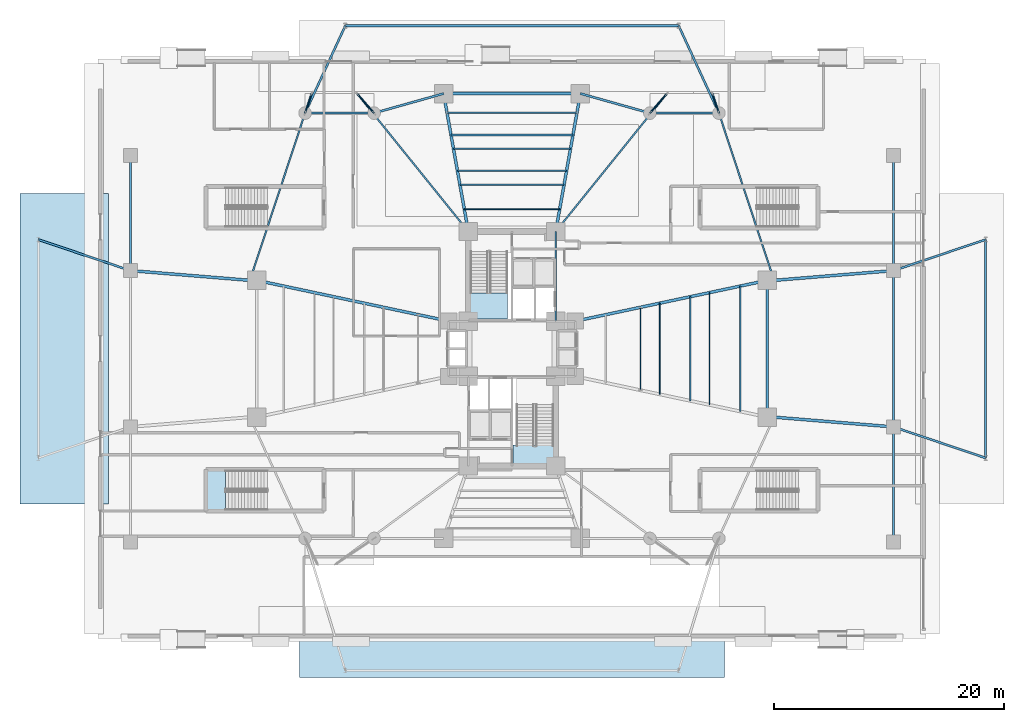
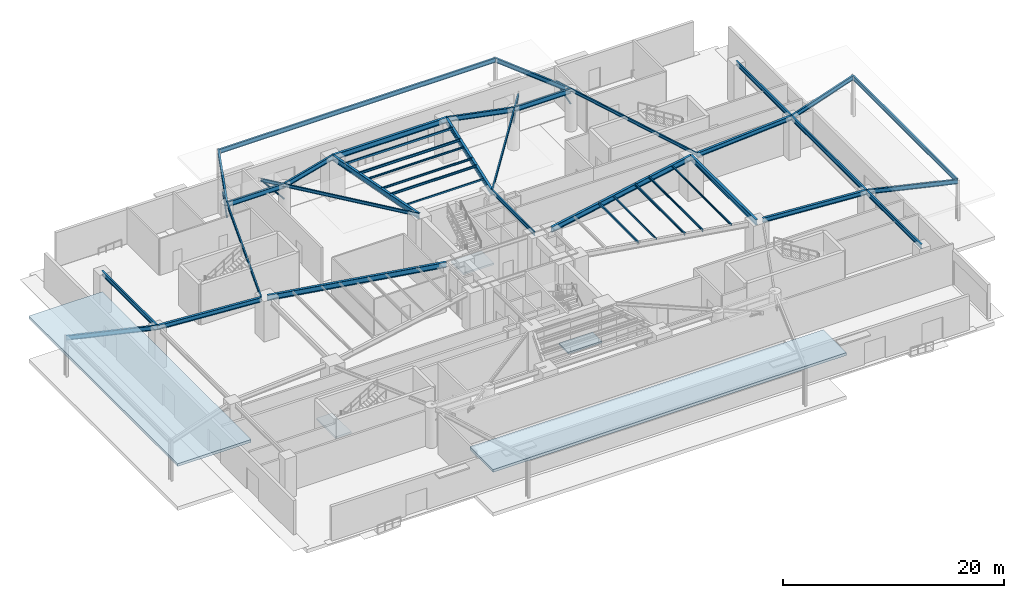
# One storey, part 11 of 31: 40 beams, 5 slabs, 4 members, 2 elements without a shape of their own.
"""IFC4 building model written with IfcOpenShell, lengths in metres."""

import ifcopenshell
import ifcopenshell.guid

model = None  # the IFC model being written
_history = None  # IfcOwnerHistory: only IFC2X3 demands one
_inside = {}  # id of a spatial element -> (the spatial element, [elements in it])
_under = {}  # id of a project, library or spatial element -> (it, [spatial elements below it])
_declared = {}  # id of a project -> (the project, [libraries it declares])
_typed = {}  # id of a type object -> (the type object, [elements of that type])
_made_of = {}  # id of a material, layer set ... -> (it, [elements and type objects made of it])


def new_model(schema):
    """Start an empty IFC model of exactly this schema.

    Asked for "IFC4X3", IfcOpenShell would pick the latest addendum, in which some entities
    have other attributes; the version numbers below select the first issue.
    IFC2X3 requires an IfcOwnerHistory on every rooted entity: one is made here for all.
    """
    global model, _history
    if schema == "IFC4X3":
        model = ifcopenshell.file(schema_version=(4, 3, 0, 0))
    else:
        model = ifcopenshell.file(schema=schema)
    _inside.clear()
    _under.clear()
    _declared.clear()
    _typed.clear()
    _made_of.clear()
    _history = None
    if model.schema == "IFC2X3":
        org = make("IfcOrganization", Name="unknown")
        user = make(
            "IfcPersonAndOrganization",
            ThePerson=make("IfcPerson", FamilyName="unknown"),
            TheOrganization=org,
        )
        app = make(
            "IfcApplication",
            ApplicationDeveloper=org,
            Version="unknown",
            ApplicationFullName="unknown",
            ApplicationIdentifier="unknown",
        )
        _history = make(
            "IfcOwnerHistory",
            OwningUser=user,
            OwningApplication=app,
            ChangeAction="ADDED",
            CreationDate=0,
        )
    return model


def make(cls, **values):
    """One entity of the class cls with the attributes given. An attribute that is None is left unset."""
    return model.create_entity(
        cls, **{name: value for name, value in values.items() if value is not None}
    )


def rooted(cls, **values):
    """An entity with a GlobalId (a new one), such as an element, a storey or a relation."""
    return make(cls, GlobalId=ifcopenshell.guid.new(), OwnerHistory=_history, **values)


def si_unit(unit_type, name, prefix=None):
    """IfcSIUnit, for example si_unit("LENGTHUNIT", "METRE", prefix="MILLI")."""
    return make("IfcSIUnit", UnitType=unit_type, Prefix=prefix, Name=name)


def assignment(units):
    """IfcUnitAssignment: the units of a project."""
    return None if units is None else make("IfcUnitAssignment", Units=units)


def point(xyz):
    """IfcCartesianPoint."""
    return None if xyz is None else make("IfcCartesianPoint", Coordinates=xyz)


def direction(xyz):
    """IfcDirection."""
    return None if xyz is None else make("IfcDirection", DirectionRatios=xyz)


def frame(location, z_axis=None, x_axis=None):
    """IfcAxis2Placement3D, a coordinate frame: its origin and axes. An axis left out is left unset."""
    return make(
        "IfcAxis2Placement3D",
        Location=point(location),
        Axis=direction(z_axis),
        RefDirection=direction(x_axis),
    )


def frame_2d(location, x_axis=None):
    """IfcAxis2Placement2D, a coordinate frame in the plane: its origin and x axis."""
    return make(
        "IfcAxis2Placement2D", Location=point(location), RefDirection=direction(x_axis)
    )


def origin():
    """The frame at (0, 0, 0) with its axes left unset."""
    return frame((0.0, 0.0, 0.0))


def origin_2d():
    """The frame at (0, 0) in the plane with its x axis left unset."""
    return frame_2d((0.0, 0.0))


def place(relative_to, where):
    """IfcLocalPlacement: puts the frame where relative to a parent placement (None: the world)."""
    return make(
        "IfcLocalPlacement", PlacementRelTo=relative_to, RelativePlacement=where
    )


def context(
    kind, dimensions, precision=None, world=None, true_north=None, identifier=None
):
    """IfcGeometricRepresentationContext, for example the 3D "Model" context."""
    return make(
        "IfcGeometricRepresentationContext",
        ContextIdentifier=identifier,
        ContextType=kind,
        CoordinateSpaceDimension=dimensions,
        Precision=precision,
        WorldCoordinateSystem=world,
        TrueNorth=true_north,
    )


def subcontext(parent, identifier, kind, view, scale=None):
    """IfcGeometricRepresentationSubContext, for example "Body" below "Model"."""
    return make(
        "IfcGeometricRepresentationSubContext",
        ContextIdentifier=identifier,
        ContextType=kind,
        ParentContext=parent,
        TargetScale=scale,
        TargetView=view,
    )


def project(units=None, contexts=None):
    """IfcProject with its units and contexts."""
    return rooted(
        "IfcProject",
        Name="project",
        RepresentationContexts=contexts,
        UnitsInContext=assignment(units),
    )


def spatial(cls, under=None, at=None, **own):
    """A site, building, storey or space (cls), placed at a placement, below another one or the project."""
    s = rooted(cls, ObjectPlacement=at, **own)
    if under is not None:
        _under.setdefault(under.id(), (under, []))[1].append(s)
    return s


def polyline(points):
    """IfcPolyline through the points."""
    return make("IfcPolyline", Points=[point(p) for p in points])


def profile(cls, at=None, kind="AREA", **sizes):
    """A parametric profile (cls). Its sizes go by their IFC names, for example OverallWidth=200.0."""
    return make(cls, ProfileType=kind, Position=at, **sizes)


def hollow_rectangle(**sizes):
    """IfcRectangleHollowProfileDef."""
    return profile("IfcRectangleHollowProfileDef", **sizes)


def hollow_circle(**sizes):
    """IfcCircleHollowProfileDef."""
    return profile("IfcCircleHollowProfileDef", **sizes)


def i_section(**sizes):
    """IfcIShapeProfileDef."""
    return profile("IfcIShapeProfileDef", **sizes)


def outline(outer, holes=None, kind="AREA"):
    """IfcArbitraryClosedProfileDef: a profile drawn as a closed curve; with holes, ...WithVoids."""
    if holes is None:
        return make("IfcArbitraryClosedProfileDef", ProfileType=kind, OuterCurve=outer)
    return make(
        "IfcArbitraryProfileDefWithVoids",
        ProfileType=kind,
        OuterCurve=outer,
        InnerCurves=holes,
    )


def extrude(swept, where, along, depth):
    """IfcExtrudedAreaSolid: the profile swept, set in the frame where, extruded along a direction by depth."""
    return make(
        "IfcExtrudedAreaSolid",
        SweptArea=swept,
        Position=where,
        ExtrudedDirection=direction(along),
        Depth=depth,
    )


def shape(context_of_items, identifier, shape_type, items):
    """IfcShapeRepresentation: the items that make up one representation, for example the "Body"."""
    return make(
        "IfcShapeRepresentation",
        ContextOfItems=context_of_items,
        RepresentationIdentifier=identifier,
        RepresentationType=shape_type,
        Items=items,
    )


def source(mapping_origin, context_of_items, identifier, shape_type, items):
    """IfcRepresentationMap: a shape defined once, which mapped items show again and again."""
    return make(
        "IfcRepresentationMap",
        MappingOrigin=mapping_origin,
        MappedRepresentation=shape(context_of_items, identifier, shape_type, items),
    )


def transform(
    local_origin,
    x_axis=None,
    y_axis=None,
    z_axis=None,
    scale=None,
    scale2=None,
    scale3=None,
    uniform=True,
):
    """IfcCartesianTransformationOperator3D, or its non-uniform kind. x_axis, y_axis, z_axis: its Axis1, 2, 3."""
    if uniform:
        return make(
            "IfcCartesianTransformationOperator3D",
            Axis1=direction(x_axis),
            Axis2=direction(y_axis),
            LocalOrigin=point(local_origin),
            Scale=scale,
            Axis3=direction(z_axis),
        )
    return make(
        "IfcCartesianTransformationOperator3DnonUniform",
        Axis1=direction(x_axis),
        Axis2=direction(y_axis),
        LocalOrigin=point(local_origin),
        Scale=scale,
        Axis3=direction(z_axis),
        Scale2=scale2,
        Scale3=scale3,
    )


def mapped(mapping_source, mapping_target):
    """IfcMappedItem: shows the shape of a source again, moved by a transform."""
    return make(
        "IfcMappedItem", MappingSource=mapping_source, MappingTarget=mapping_target
    )


def material(Name=None, Category=None):
    """IfcMaterial."""
    return make("IfcMaterial", Name=Name, Category=Category)


def layer(
    of_material, thickness, ventilated=None, Name=None, Category=None, Priority=None
):
    """IfcMaterialLayer: one layer of a wall or slab, of a material (None: an air gap)."""
    return make(
        "IfcMaterialLayer",
        Material=of_material,
        LayerThickness=thickness,
        IsVentilated=ventilated,
        Name=Name,
        Category=Category,
        Priority=Priority,
    )


def layer_set(layers, Name=None):
    """IfcMaterialLayerSet."""
    return make("IfcMaterialLayerSet", MaterialLayers=layers, LayerSetName=Name)


def material_profile(
    of_material, cross_section, Name=None, Category=None, Priority=None
):
    """IfcMaterialProfile: a cross section and its material."""
    return make(
        "IfcMaterialProfile",
        Name=Name,
        Material=of_material,
        Profile=cross_section,
        Priority=Priority,
        Category=Category,
    )


def profile_set(profiles, Name=None, composite=None):
    """IfcMaterialProfileSet."""
    return make(
        "IfcMaterialProfileSet",
        Name=Name,
        MaterialProfiles=profiles,
        CompositeProfile=composite,
    )


def made_of(thing, what):
    """Note that an element or type object is made of a material, layer set ...; save() writes the relation."""
    if what is not None:
        _made_of.setdefault(what.id(), (what, []))[1].append(thing)
    return thing


def type_object(cls, material=None, **own):
    """A type object (cls), such as IfcWallType, which elements share."""
    return made_of(rooted(cls, **own), material)


def element(
    cls,
    number,
    at=None,
    inside=None,
    cuts=None,
    type_object=None,
    material=None,
    context=None,
    identifier="Body",
    shape_type=None,
    held_by="IfcProductDefinitionShape",
    body=None,
    shapes=None,
    **own,
):
    """One element of the class cls, such as IfcWall. Its Tag is "e" and its number.

    at: its placement. inside: the storey or other place that contains it. cuts: it is an
    opening in that element (IfcRelVoidsElement). A single representation is given by context,
    identifier, shape_type and body (its items); several are given by shapes. held_by: the class
    of the entity that holds the representations. save() writes the other relations.
    """
    e = rooted(cls, Tag="e%d" % number, ObjectPlacement=at, **own)
    if body is not None:
        shapes = [shape(context, identifier, shape_type, body)]
    if shapes is not None:
        e.Representation = make(held_by, Representations=shapes)
    if inside is not None:
        _inside.setdefault(inside.id(), (inside, []))[1].append(e)
    if cuts is not None:
        rooted(
            "IfcRelVoidsElement", RelatingBuildingElement=cuts, RelatedOpeningElement=e
        )
    if type_object is not None:
        _typed.setdefault(type_object.id(), (type_object, []))[1].append(e)
    return made_of(e, material)


def aggregate(whole, parts):
    """IfcRelAggregates: a whole, such as a stair, and the parts it consists of."""
    return rooted("IfcRelAggregates", RelatingObject=whole, RelatedObjects=parts)


def save(model, path):
    """Write the relations noted so far, then the file.

    IfcRelAggregates (storeys below a building ...), IfcRelContainedInSpatialStructure (elements
    in a storey), IfcRelDefinesByType, IfcRelAssociatesMaterial and IfcRelDeclares: one each for
    every whole, place, type object, material and project.
    """
    for whole, parts in _under.values():
        aggregate(whole, parts)
    for where, things in _inside.values():
        rooted(
            "IfcRelContainedInSpatialStructure",
            RelatedElements=things,
            RelatingStructure=where,
        )
    for kind, things in _typed.values():
        rooted("IfcRelDefinesByType", RelatedObjects=things, RelatingType=kind)
    for what, things in _made_of.values():
        rooted("IfcRelAssociatesMaterial", RelatedObjects=things, RelatingMaterial=what)
    for by, libraries in _declared.values():
        rooted("IfcRelDeclares", RelatingContext=by, RelatedDefinitions=libraries)
    model.write(path)


model = new_model("IFC4")

# Units and contexts
model_context = context("Model", 3, precision=1e-05, world=origin(), true_north=direction((0.0, 1.0)))
body_context = subcontext(model_context, "Body", "Model", "MODEL_VIEW")
ifc_project = project(units=[si_unit("LENGTHUNIT", "METRE"), si_unit("AREAUNIT", "SQUARE_METRE"), si_unit("VOLUMEUNIT", "CUBIC_METRE"), si_unit("PLANEANGLEUNIT", "RADIAN"), si_unit("MASSUNIT", "GRAM", prefix="KILO")], contexts=[model_context])

# Site, building, storey
site_placement = place(None, origin())
site = spatial("IfcSite", under=ifc_project, at=site_placement, CompositionType="ELEMENT")
building_placement = place(site_placement, origin())
building = spatial("IfcBuilding", under=site, at=building_placement, Name="Sahyath Konkavel Grand Hotel", CompositionType="ELEMENT")
storey_placement = place(building_placement, origin())
storey = spatial("IfcBuildingStorey", under=building, at=storey_placement, Name="L00", CompositionType="ELEMENT", Elevation=0.0)

# Beams
ifc_material_1 = material(Name="Steel E350", Category="steel")
ifc_material_profile_1 = material_profile(ifc_material_1, i_section(OverallWidth=0.179931640625, OverallDepth=0.5, WebThickness=0.01025390625, FlangeThickness=0.01708984375, FilletRadius=0.01708984375, at=origin_2d()), Name="ISMB 500")
ifc_profile_set_1 = profile_set([ifc_material_profile_1], Name="Steel E350")
beam_type_1 = type_object("IfcBeamType", Name="BM-ISMB500", PredefinedType="BEAM", material=ifc_profile_set_1)
shared_shape_1 = source(origin(), body_context, "Body", "SweptSolid", [
    extrude(i_section(OverallWidth=0.179931640625, OverallDepth=0.5, WebThickness=0.01025390625, FlangeThickness=0.01708984375, FilletRadius=0.01708984375, at=origin_2d()), origin(), (0.0, 0.0, 1.0), 19.0),
])
beam_1_placement = place(storey_placement, frame((41.199951171875, -9.5, 4.22998046875), z_axis=(0.0, 1.0, 0.0), x_axis=(-1.0, 0.0, 0.0)))
element("IfcBeam", 1, at=beam_1_placement, inside=storey, type_object=beam_type_1, Name="L00 Metro Portal Wing Girder 01", PredefinedType="BEAM", context=body_context, shape_type="MappedRepresentation", body=[
    mapped(shared_shape_1, transform((0.0, 0.0, 0.0), scale=1.0)),
])
shared_shape_2 = source(origin(), body_context, "Body", "SweptSolid", [
    extrude(i_section(OverallWidth=0.179931640625, OverallDepth=0.5, WebThickness=0.01025390625, FlangeThickness=0.01708984375, FilletRadius=0.01708984375, at=origin_2d()), origin(), (0.0, 0.0, 1.0), 8.443359375),
])
for number, where, z_axis, x_axis, name in (
    (2, (41.199951171875, -9.5, 4.22998046875), (-0.947494031165, 0.319773452474, 0.0), (-0.319773452474, -0.947494031165, 0.0), "L00 Metro Portal Wing Girder 02"),
    (3, (41.199951171875, 9.5, 4.22998046875), (-0.947494031165, -0.319773452474, 0.0), (0.319773452474, -0.947494031165, 0.0), "L00 Metro Portal Wing Girder 03"),
    (4, (-41.199951171875, 9.5, 4.22998046875), (0.947494031165, -0.319773452474, 0.0), (0.319773452474, 0.947494031165, 0.0), "L00 Metro Portal Wing Girder 06"),
):
    element("IfcBeam", number, at=place(storey_placement, frame(where, z_axis=z_axis, x_axis=x_axis)), inside=storey, type_object=beam_type_1, Name=name, PredefinedType="BEAM", context=body_context, shape_type="MappedRepresentation", body=[
        mapped(shared_shape_2, transform((0.0, 0.0, 0.0), scale=1.0)),
    ])
shared_shape_3 = source(origin(), body_context, "Body", "SweptSolid", [
    extrude(i_section(OverallWidth=0.179931640625, OverallDepth=0.5, WebThickness=0.01025390625, FlangeThickness=0.01708984375, FilletRadius=0.01708984375, at=origin_2d()), origin(), (0.0, 0.0, 1.0), 29.0),
])
beam_2_placement = place(storey_placement, frame((-14.5, 28.10009765625, 4.22998046875), z_axis=(1.0, 0.0, 0.0), x_axis=(0.0, 1.0, 0.0)))
element("IfcBeam", 5, at=beam_2_placement, inside=storey, type_object=beam_type_1, Name="L00 Metro Portal Wing Girder 07", PredefinedType="BEAM", context=body_context, shape_type="MappedRepresentation", body=[
    mapped(shared_shape_3, transform((0.0, 0.0, 0.0), scale=1.0)),
])
shared_shape_4 = source(origin(), body_context, "Body", "SweptSolid", [
    extrude(i_section(OverallWidth=0.179931640625, OverallDepth=0.5, WebThickness=0.01025390625, FlangeThickness=0.01708984375, FilletRadius=0.01708984375, at=origin_2d()), origin(), (0.0, 0.0, 1.0), 8.3671875),
])
for number, where, z_axis, x_axis, name in (
    (6, (-14.5, 28.10009765625, 4.22998046875), (-0.418295701327, -0.908310908363, 0.0), (0.908310908363, -0.418295701327, 0.0), "L00 Metro Portal Wing Girder 08"),
    (7, (14.5, 28.10009765625, 4.22998046875), (0.418295701327, -0.908310908363, 0.0), (0.908310908363, 0.418295701327, 0.0), "L00 Metro Portal Wing Girder 09"),
):
    element("IfcBeam", number, at=place(storey_placement, frame(where, z_axis=z_axis, x_axis=x_axis)), inside=storey, type_object=beam_type_1, Name=name, PredefinedType="BEAM", context=body_context, shape_type="MappedRepresentation", body=[
        mapped(shared_shape_4, transform((0.0, 0.0, 0.0), scale=1.0)),
    ])
ifc_material_profile_2 = material_profile(ifc_material_1, i_section(OverallWidth=0.139892578125, OverallDepth=0.39990234375, WebThickness=0.0087890625, FlangeThickness=0.01611328125, FilletRadius=0.013916015625, at=origin_2d()), Name="ISMB 400")
ifc_profile_set_2 = profile_set([ifc_material_profile_2], Name="Steel E350")
beam_type_2 = type_object("IfcBeamType", Name="BM-ISMB400", PredefinedType="BEAM", material=ifc_profile_set_2)
shared_shape_5 = source(origin(), body_context, "Body", "SweptSolid", [
    extrude(i_section(OverallWidth=0.139892578125, OverallDepth=0.39990234375, WebThickness=0.0087890625, FlangeThickness=0.01611328125, FilletRadius=0.013916015625, at=origin_2d()), origin(), (0.0, 0.0, 1.0), 7.800048828125),
])
beam_3_placement = place(storey_placement, frame((3.800048828125, 2.39990234375, 4.280029296875), z_axis=(0.0, 1.0, 0.0), x_axis=(-1.0, 0.0, 0.0)))
element("IfcBeam", 8, at=beam_3_placement, inside=storey, type_object=beam_type_2, Name="str:bm:L00:NC-E", PredefinedType="BEAM", context=body_context, shape_type="MappedRepresentation", body=[
    mapped(shared_shape_5, transform((0.0, 0.0, 0.0), scale=1.0)),
])
ifc_material_profile_3 = material_profile(ifc_material_1, i_section(OverallWidth=0.18994140625, OverallDepth=0.550048828125, WebThickness=0.01123046875, FlangeThickness=0.019287109375, FilletRadius=0.01806640625, at=origin_2d()), Name="ISMB 550")
ifc_profile_set_3 = profile_set([ifc_material_profile_3], Name="Steel E350")
beam_type_3 = type_object("IfcBeamType", Name="BM-ISMB550", PredefinedType="BEAM", material=ifc_profile_set_3)
shared_shape_6 = source(origin(), body_context, "Body", "SweptSolid", [
    extrude(i_section(OverallWidth=0.18994140625, OverallDepth=0.550048828125, WebThickness=0.01123046875, FlangeThickness=0.019287109375, FilletRadius=0.01806640625, at=origin_2d()), origin(), (0.0, 0.0, 1.0), 6.0),
])
for number, where, z_axis, x_axis, name in (
    (9, (-18.0, 20.5, 4.205078125), (1.0, 0.0, 0.0), (0.0, 1.0, 0.0), "str:bm:L00:POD-01"),
    (10, (12.0, 20.5, 4.205078125), (1.0, 0.0, 0.0), (0.0, 1.0, 0.0), "str:bm:L00:POD-04"),
):
    element("IfcBeam", number, at=place(storey_placement, frame(where, z_axis=z_axis, x_axis=x_axis)), inside=storey, type_object=beam_type_3, Name=name, PredefinedType="BEAM", context=body_context, shape_type="MappedRepresentation", body=[
        mapped(shared_shape_6, transform((0.0, 0.0, 0.0), scale=1.0)),
    ])
shared_shape_7 = source(origin(), body_context, "Body", "SweptSolid", [
    extrude(i_section(OverallWidth=0.18994140625, OverallDepth=0.550048828125, WebThickness=0.01123046875, FlangeThickness=0.019287109375, FilletRadius=0.01806640625, at=origin_2d()), origin(), (0.0, 0.0, 1.0), 6.284423828125),
])
for number, where, z_axis, x_axis, name in (
    (11, (-12.0, 20.5, 4.205078125), (0.962718307277, 0.270505934933, 0.0), (-0.270505934933, 0.962718307277, 0.0), "str:bm:L00:POD-02"),
    (12, (5.949951171875, 22.199951171875, 4.205078125), (0.962718307277, -0.270505934933, 0.0), (0.270505934933, 0.962718307277, 0.0), "str:bm:L00:POD-03"),
):
    element("IfcBeam", number, at=place(storey_placement, frame(where, z_axis=z_axis, x_axis=x_axis)), inside=storey, type_object=beam_type_3, Name=name, PredefinedType="BEAM", context=body_context, shape_type="MappedRepresentation", body=[
        mapped(shared_shape_7, transform((0.0, 0.0, 0.0), scale=1.0)),
    ])
shared_shape_8 = source(origin(), body_context, "Body", "SweptSolid", [
    extrude(i_section(OverallWidth=0.179931640625, OverallDepth=0.5, WebThickness=0.01025390625, FlangeThickness=0.01708984375, FilletRadius=0.01708984375, at=origin_2d()), origin(), (0.0, 0.0, 1.0), 10.0),
])
for number, where, z_axis, x_axis, name in (
    (13, (33.199951171875, -16.800048828125, 4.22998046875), (0.0, 1.0, 0.0), (-1.0, 0.0, 0.0), "str:bm:L00:POD-09"),
    (14, (33.199951171875, 6.800048828125, 4.22998046875), (0.0, 1.0, 0.0), (-1.0, 0.0, 0.0), "str:bm:L00:POD-13"),
    (15, (-33.199951171875, 6.800048828125, 4.22998046875), (0.0, 1.0, 0.0), (-1.0, 0.0, 0.0), "str:bm:L00:POD-18"),
):
    element("IfcBeam", number, at=place(storey_placement, frame(where, z_axis=z_axis, x_axis=x_axis)), inside=storey, type_object=beam_type_1, Name=name, PredefinedType="BEAM", context=body_context, shape_type="MappedRepresentation", body=[
        mapped(shared_shape_8, transform((0.0, 0.0, 0.0), scale=1.0)),
    ])
ifc_material_profile_4 = material_profile(ifc_material_1, i_section(OverallWidth=0.25, OverallDepth=0.5, WebThickness=0.010009765625, FlangeThickness=0.0146484375, FilletRadius=0.014892578125, at=origin_2d()), Name="ISWB 500")
ifc_profile_set_4 = profile_set([ifc_material_profile_4], Name="Steel E350")
beam_type_4 = type_object("IfcBeamType", Name="BM-ISWB500", PredefinedType="BEAM", material=ifc_profile_set_4)
shared_shape_9 = source(origin(), body_context, "Body", "SweptSolid", [
    extrude(i_section(OverallWidth=0.25, OverallDepth=0.5, WebThickness=0.010009765625, FlangeThickness=0.0146484375, FilletRadius=0.014892578125, at=origin_2d()), origin(), (0.0, 0.0, 1.0), 10.4345703125),
])
for number, where, z_axis, x_axis, name in (
    (16, (33.199951171875, -6.800048828125, 4.22998046875), (-0.996675859081, 0.081469208445, 0.0), (-0.081469208445, -0.996675859081, 0.0), "str:bm:L00:POD-10"),
    (17, (33.199951171875, 6.800048828125, 4.22998046875), (-0.996675859081, -0.081469208445, 0.0), (0.081469208445, -0.996675859081, 0.0), "str:bm:L00:POD-12"),
    (18, (-33.199951171875, 6.800048828125, 4.22998046875), (0.996675859081, -0.081469208445, 0.0), (0.081469208445, 0.996675859081, 0.0), "str:bm:L00:POD-17"),
):
    element("IfcBeam", number, at=place(storey_placement, frame(where, z_axis=z_axis, x_axis=x_axis)), inside=storey, type_object=beam_type_4, Name=name, PredefinedType="BEAM", context=body_context, shape_type="MappedRepresentation", body=[
        mapped(shared_shape_9, transform((0.0, 0.0, 0.0), scale=1.0)),
    ])
shared_shape_10 = source(origin(), body_context, "Body", "SweptSolid", [
    extrude(i_section(OverallWidth=0.179931640625, OverallDepth=0.5, WebThickness=0.01025390625, FlangeThickness=0.01708984375, FilletRadius=0.01708984375, at=origin_2d()), origin(), (0.0, 0.0, 1.0), 13.60009765625),
])
beam_4_placement = place(storey_placement, frame((33.199951171875, -6.800048828125, 4.22998046875), z_axis=(0.0, 1.0, 0.0), x_axis=(-1.0, 0.0, 0.0)))
element("IfcBeam", 19, at=beam_4_placement, inside=storey, type_object=beam_type_1, Name="str:bm:L00:POD-11", PredefinedType="BEAM", context=body_context, shape_type="MappedRepresentation", body=[
    mapped(shared_shape_10, transform((0.0, 0.0, 0.0), scale=1.0)),
])
ifc_material_profile_5 = material_profile(ifc_material_1, i_section(OverallWidth=0.25, OverallDepth=0.60009765625, WebThickness=0.01171875, FlangeThickness=0.023681640625, FilletRadius=0.01708984375, at=origin_2d()), Name="ISWB 600")
ifc_profile_set_5 = profile_set([ifc_material_profile_5], Name="Steel E350")
beam_type_5 = type_object("IfcBeamType", Name="BM-ISWB600", PredefinedType="BEAM", material=ifc_profile_set_5)
shared_shape_11 = source(origin(), body_context, "Body", "SweptSolid", [
    extrude(i_section(OverallWidth=0.25, OverallDepth=0.60009765625, WebThickness=0.01171875, FlangeThickness=0.023681640625, FilletRadius=0.01708984375, at=origin_2d()), origin(), (0.0, 0.0, 1.0), 17.072998046875),
])
for number, where, z_axis, x_axis, name in (
    (20, (5.5, 2.39990234375, 4.179931640625), (0.978143257225, 0.20793212437, 0.0), (-0.20793212437, 0.978143257225, 0.0), "L00 Podium Primary Girder EB"),
    (21, (-5.5, 2.39990234375, 4.179931640625), (-0.978143257225, 0.20793212437, 0.0), (-0.20793212437, -0.978143257225, 0.0), "L00 Podium Primary Girder WA"),
):
    element("IfcBeam", number, at=place(storey_placement, frame(where, z_axis=z_axis, x_axis=x_axis)), inside=storey, type_object=beam_type_5, Name=name, PredefinedType="BEAM", context=body_context, shape_type="MappedRepresentation", body=[
        mapped(shared_shape_11, transform((0.0, 0.0, 0.0), scale=1.0)),
    ])
shared_shape_12 = source(origin(), body_context, "Body", "SweptSolid", [
    extrude(i_section(OverallWidth=0.25, OverallDepth=0.60009765625, WebThickness=0.01171875, FlangeThickness=0.023681640625, FilletRadius=0.01708984375, at=origin_2d()), origin(), (0.0, 0.0, 1.0), 12.191162109375),
])
for number, where, z_axis, x_axis, name in (
    (22, (3.800048828125, 10.199951171875, 4.179931640625), (0.176350650305, 0.984327409014, 0.0), (-0.984327409014, 0.176350650305, 0.0), "L00 Podium Primary Girder NA"),
    (23, (-3.800048828125, 10.199951171875, 4.179931640625), (-0.176350650305, 0.984327409014, 0.0), (-0.984327409014, -0.176350650305, 0.0), "L00 Podium Primary Girder NB"),
):
    element("IfcBeam", number, at=place(storey_placement, frame(where, z_axis=z_axis, x_axis=x_axis)), inside=storey, type_object=beam_type_5, Name=name, PredefinedType="BEAM", context=body_context, shape_type="MappedRepresentation", body=[
        mapped(shared_shape_12, transform((0.0, 0.0, 0.0), scale=1.0)),
    ])
shared_shape_13 = source(origin(), body_context, "Body", "SweptSolid", [
    extrude(i_section(OverallWidth=0.25, OverallDepth=0.60009765625, WebThickness=0.01171875, FlangeThickness=0.023681640625, FilletRadius=0.01708984375, at=origin_2d()), origin(), (0.0, 0.0, 1.0), 11.89990234375),
])
for number, where, z_axis, x_axis, name in (
    (24, (22.199951171875, -5.949951171875, 4.179931640625), (0.0, 1.0, 0.0), (-1.0, 0.0, 0.0), "L00 Podium Primary Girder Tie E"),
    (25, (5.949951171875, 22.199951171875, 4.179931640625), (-1.0, 0.0, 0.0), (0.0, -1.0, 0.0), "L00 Podium Primary Girder Tie N"),
):
    element("IfcBeam", number, at=place(storey_placement, frame(where, z_axis=z_axis, x_axis=x_axis)), inside=storey, type_object=beam_type_5, Name=name, PredefinedType="BEAM", context=body_context, shape_type="MappedRepresentation", body=[
        mapped(shared_shape_13, transform((0.0, 0.0, 0.0), scale=1.0)),
    ])
ifc_material_profile_6 = material_profile(ifc_material_1, hollow_rectangle(XDim=0.1201171875, YDim=0.219970703125, WallThickness=0.010009765625, at=origin_2d()), Name="RHS 220x120x10")
ifc_profile_set_6 = profile_set([ifc_material_profile_6], Name="Steel E350")
beam_type_6 = type_object("IfcBeamType", Name="BM-RHS220", PredefinedType="BEAM", material=ifc_profile_set_6)
shared_shape_14 = source(origin(), body_context, "Body", "SweptSolid", [
    extrude(hollow_rectangle(XDim=0.1201171875, YDim=0.219970703125, WallThickness=0.010009765625, at=origin_2d()), origin(), (0.0, 0.0, 1.0), 7.2138671875),
])
beam_5_placement = place(storey_placement, frame((11.177978515625, -3.60693359375, 4.3701171875), z_axis=(0.0, 1.0, 0.0), x_axis=(-1.0, 0.0, 0.0)))
element("IfcBeam", 26, at=beam_5_placement, inside=storey, type_object=beam_type_6, Name="L00 Composite Deck Sub-Beam E-2", PredefinedType="BEAM", context=body_context, shape_type="MappedRepresentation", body=[
    mapped(shared_shape_14, transform((0.0, 0.0, 0.0), scale=1.0)),
])
ifc_material_profile_7 = material_profile(ifc_material_1, hollow_rectangle(XDim=0.090087890625, YDim=0.179931640625, WallThickness=0.008056640625, at=origin_2d()), Name="RHS 180x90x8")
ifc_profile_set_7 = profile_set([ifc_material_profile_7], Name="Steel E350")
beam_type_7 = type_object("IfcBeamType", Name="BM-RHS180", PredefinedType="BEAM", material=ifc_profile_set_7)
shared_shape_15 = source(origin(), body_context, "Body", "SweptSolid", [
    extrude(hollow_rectangle(XDim=0.090087890625, YDim=0.179931640625, WallThickness=0.008056640625, at=origin_2d()), origin(), (0.0, 0.0, 1.0), 7.923828125),
])
beam_6_placement = place(storey_placement, frame((12.847900390625, -3.9619140625, 4.389892578125), z_axis=(0.0, 1.0, 0.0), x_axis=(-1.0, 0.0, 0.0)))
element("IfcBeam", 27, at=beam_6_placement, inside=storey, type_object=beam_type_7, Name="L00 Composite Deck Sub-Beam E-3", PredefinedType="BEAM", context=body_context, shape_type="MappedRepresentation", body=[
    mapped(shared_shape_15, transform((0.0, 0.0, 0.0), scale=1.0)),
])
ifc_material_profile_8 = material_profile(ifc_material_1, i_section(OverallWidth=0.125, OverallDepth=0.25, WebThickness=0.0068359375, FlangeThickness=0.012451171875, FilletRadius=0.012939453125, at=origin_2d()), Name="ISMB 250")
ifc_profile_set_8 = profile_set([ifc_material_profile_8], Name="Steel E350")
beam_type_8 = type_object("IfcBeamType", Name="BM-ISMB250", PredefinedType="BEAM", material=ifc_profile_set_8)
shared_shape_16 = source(origin(), body_context, "Body", "SweptSolid", [
    extrude(i_section(OverallWidth=0.125, OverallDepth=0.25, WebThickness=0.0068359375, FlangeThickness=0.012451171875, FilletRadius=0.012939453125, at=origin_2d()), origin(), (0.0, 0.0, 1.0), 9.06005859375),
])
beam_7_placement = place(storey_placement, frame((15.52001953125, -4.530029296875, 4.35498046875), z_axis=(0.0, 1.0, 0.0), x_axis=(-1.0, 0.0, 0.0)))
element("IfcBeam", 28, at=beam_7_placement, inside=storey, type_object=beam_type_8, Name="L00 Composite Deck Sub-Beam E-4", PredefinedType="BEAM", context=body_context, shape_type="MappedRepresentation", body=[
    mapped(shared_shape_16, transform((0.0, 0.0, 0.0), scale=1.0)),
])
ifc_material_profile_9 = material_profile(ifc_material_1, i_section(OverallWidth=0.110107421875, OverallDepth=0.22509765625, WebThickness=0.006591796875, FlangeThickness=0.01171875, FilletRadius=0.011962890625, at=origin_2d()), Name="ISMB 225")
ifc_profile_set_9 = profile_set([ifc_material_profile_9], Name="Steel E350")
beam_type_9 = type_object("IfcBeamType", Name="BM-ISMB225", PredefinedType="BEAM", material=ifc_profile_set_9)
shared_shape_17 = source(origin(), body_context, "Body", "SweptSolid", [
    extrude(i_section(OverallWidth=0.110107421875, OverallDepth=0.22509765625, WebThickness=0.006591796875, FlangeThickness=0.01171875, FilletRadius=0.011962890625, at=origin_2d()), origin(), (0.0, 0.0, 1.0), 9.77001953125),
])
beam_8_placement = place(storey_placement, frame((17.18994140625, -4.885009765625, 4.367431640625), z_axis=(0.0, 1.0, 0.0), x_axis=(-1.0, 0.0, 0.0)))
element("IfcBeam", 29, at=beam_8_placement, inside=storey, type_object=beam_type_9, Name="L00 Composite Deck Sub-Beam E-5", PredefinedType="BEAM", context=body_context, shape_type="MappedRepresentation", body=[
    mapped(shared_shape_17, transform((0.0, 0.0, 0.0), scale=1.0)),
])
ifc_material_profile_10 = material_profile(ifc_material_1, i_section(OverallWidth=0.10009765625, OverallDepth=0.199951171875, WebThickness=0.005615234375, FlangeThickness=0.0107421875, FilletRadius=0.010986328125, at=origin_2d()), Name="ISMB 200")
ifc_profile_set_10 = profile_set([ifc_material_profile_10], Name="Steel E350")
beam_type_10 = type_object("IfcBeamType", Name="BM-ISMB200", PredefinedType="BEAM", material=ifc_profile_set_10)
shared_shape_18 = source(origin(), body_context, "Body", "SweptSolid", [
    extrude(i_section(OverallWidth=0.10009765625, OverallDepth=0.199951171875, WebThickness=0.005615234375, FlangeThickness=0.0107421875, FilletRadius=0.010986328125, at=origin_2d()), origin(), (0.0, 0.0, 1.0), 10.90576171875),
])
beam_9_placement = place(storey_placement, frame((19.862060546875, -5.452880859375, 4.3798828125), z_axis=(0.0, 1.0, 0.0), x_axis=(-1.0, 0.0, 0.0)))
element("IfcBeam", 30, at=beam_9_placement, inside=storey, type_object=beam_type_10, Name="L00 Composite Deck Sub-Beam E-6", PredefinedType="BEAM", context=body_context, shape_type="MappedRepresentation", body=[
    mapped(shared_shape_18, transform((0.0, 0.0, 0.0), scale=1.0)),
])
shared_shape_19 = source(origin(), body_context, "Body", "SweptSolid", [
    extrude(hollow_rectangle(XDim=0.090087890625, YDim=0.179931640625, WallThickness=0.008056640625, at=origin_2d()), origin(), (0.0, 0.0, 1.0), 8.2880859375),
])
beam_10_placement = place(storey_placement, frame((4.14404296875, 12.1201171875, 4.389892578125), z_axis=(-1.0, 0.0, 0.0), x_axis=(0.0, -1.0, 0.0)))
element("IfcBeam", 31, at=beam_10_placement, inside=storey, type_object=beam_type_7, Name="L00 Composite Deck Sub-Beam N-1", PredefinedType="BEAM", context=body_context, shape_type="MappedRepresentation", body=[
    mapped(shared_shape_19, transform((0.0, 0.0, 0.0), scale=1.0)),
])
shared_shape_20 = source(origin(), body_context, "Body", "SweptSolid", [
    extrude(i_section(OverallWidth=0.125, OverallDepth=0.25, WebThickness=0.0068359375, FlangeThickness=0.012451171875, FilletRadius=0.012939453125, at=origin_2d()), origin(), (0.0, 0.0, 1.0), 9.06201171875),
])
beam_11_placement = place(storey_placement, frame((4.531005859375, 14.280029296875, 4.35498046875), z_axis=(-1.0, 0.0, 0.0), x_axis=(0.0, -1.0, 0.0)))
element("IfcBeam", 32, at=beam_11_placement, inside=storey, type_object=beam_type_8, Name="L00 Composite Deck Sub-Beam N-2", PredefinedType="BEAM", context=body_context, shape_type="MappedRepresentation", body=[
    mapped(shared_shape_20, transform((0.0, 0.0, 0.0), scale=1.0)),
])
shared_shape_21 = source(origin(), body_context, "Body", "SweptSolid", [
    extrude(i_section(OverallWidth=0.110107421875, OverallDepth=0.22509765625, WebThickness=0.006591796875, FlangeThickness=0.01171875, FilletRadius=0.011962890625, at=origin_2d()), origin(), (0.0, 0.0, 1.0), 9.4921875),
])
beam_12_placement = place(storey_placement, frame((4.74609375, 15.47998046875, 4.367431640625), z_axis=(-1.0, 0.0, 0.0), x_axis=(0.0, -1.0, 0.0)))
element("IfcBeam", 33, at=beam_12_placement, inside=storey, type_object=beam_type_9, Name="L00 Composite Deck Sub-Beam N-3", PredefinedType="BEAM", context=body_context, shape_type="MappedRepresentation", body=[
    mapped(shared_shape_21, transform((0.0, 0.0, 0.0), scale=1.0)),
])
shared_shape_22 = source(origin(), body_context, "Body", "SweptSolid", [
    extrude(i_section(OverallWidth=0.10009765625, OverallDepth=0.199951171875, WebThickness=0.005615234375, FlangeThickness=0.0107421875, FilletRadius=0.010986328125, at=origin_2d()), origin(), (0.0, 0.0, 1.0), 10.18017578125),
])
beam_13_placement = place(storey_placement, frame((5.090087890625, 17.39990234375, 4.3798828125), z_axis=(-1.0, 0.0, 0.0), x_axis=(0.0, -1.0, 0.0)))
element("IfcBeam", 34, at=beam_13_placement, inside=storey, type_object=beam_type_10, Name="L00 Composite Deck Sub-Beam N-4", PredefinedType="BEAM", context=body_context, shape_type="MappedRepresentation", body=[
    mapped(shared_shape_22, transform((0.0, 0.0, 0.0), scale=1.0)),
])
ifc_material_profile_11 = material_profile(ifc_material_1, i_section(OverallWidth=0.139892578125, OverallDepth=0.27490234375, WebThickness=0.00634765625, FlangeThickness=0.0087890625, FilletRadius=0.012939453125, at=origin_2d()), Name="ISLB 275")
ifc_profile_set_11 = profile_set([ifc_material_profile_11], Name="Steel E350")
beam_type_11 = type_object("IfcBeamType", Name="BM-ISLB275", PredefinedType="BEAM", material=ifc_profile_set_11)
shared_shape_23 = source(origin(), body_context, "Body", "SweptSolid", [
    extrude(i_section(OverallWidth=0.139892578125, OverallDepth=0.27490234375, WebThickness=0.00634765625, FlangeThickness=0.0087890625, FilletRadius=0.012939453125, at=origin_2d()), origin(), (0.0, 0.0, 1.0), 10.60986328125),
])
beam_14_placement = place(storey_placement, frame((5.304931640625, 18.60009765625, 4.342529296875), z_axis=(-1.0, 0.0, 0.0), x_axis=(0.0, -1.0, 0.0)))
element("IfcBeam", 35, at=beam_14_placement, inside=storey, type_object=beam_type_11, Name="L00 Composite Deck Sub-Beam N-5", PredefinedType="BEAM", context=body_context, shape_type="MappedRepresentation", body=[
    mapped(shared_shape_23, transform((0.0, 0.0, 0.0), scale=1.0)),
])
shared_shape_24 = source(origin(), body_context, "Body", "SweptSolid", [
    extrude(hollow_rectangle(XDim=0.1201171875, YDim=0.219970703125, WallThickness=0.010009765625, at=origin_2d()), origin(), (0.0, 0.0, 1.0), 11.2978515625),
])
beam_15_placement = place(storey_placement, frame((5.64892578125, 20.52001953125, 4.3701171875), z_axis=(-1.0, 0.0, 0.0), x_axis=(0.0, -1.0, 0.0)))
element("IfcBeam", 36, at=beam_15_placement, inside=storey, type_object=beam_type_6, Name="L00 Composite Deck Sub-Beam N-6", PredefinedType="BEAM", context=body_context, shape_type="MappedRepresentation", body=[
    mapped(shared_shape_24, transform((0.0, 0.0, 0.0), scale=1.0)),
])
ifc_material_profile_12 = material_profile(ifc_material_1, i_section(OverallWidth=0.139892578125, OverallDepth=0.35009765625, WebThickness=0.008056640625, FlangeThickness=0.01416015625, FilletRadius=0.013916015625, at=origin_2d()), Name="ISMB 350")
ifc_profile_set_12 = profile_set([ifc_material_profile_12], Name="Steel E350")
beam_type_12 = type_object("IfcBeamType", Name="BM-BALC-CANT", PredefinedType="BEAM", material=ifc_profile_set_12)
shared_shape_25 = source(origin(), body_context, "Body", "SweptSolid", [
    extrude(i_section(OverallWidth=0.139892578125, OverallDepth=0.35009765625, WebThickness=0.008056640625, FlangeThickness=0.01416015625, FilletRadius=0.013916015625, at=origin_2d()), origin(), (0.0, 0.0, 1.0), 17.111083984375),
])
for number, where, z_axis, x_axis, name in (
    (37, (-22.800048828125, 5.949951171875, 4.304931640625), (0.313251357792, 0.949670251635, 0.0), (-0.949670251635, 0.313251357792, 0.0), "Monsoon Canopy Cantilever Beam N-West-1"),
    (38, (22.800048828125, 5.949951171875, 4.304931640625), (-0.313251357792, 0.949670251635, 0.0), (-0.949670251635, -0.313251357792, 0.0), "Monsoon Canopy Cantilever Beam N-East-2"),
):
    element("IfcBeam", number, at=place(storey_placement, frame(where, z_axis=z_axis, x_axis=x_axis)), inside=storey, type_object=beam_type_12, Name=name, PredefinedType="BEAM", context=body_context, shape_type="MappedRepresentation", body=[
        mapped(shared_shape_25, transform((0.0, 0.0, 0.0), scale=1.0)),
    ])

# Members
ifc_material_profile_13 = material_profile(ifc_material_1, hollow_circle(Radius=0.084228515625, WallThickness=0.008056640625, at=origin_2d()), Name="CHS 168.3x8")
ifc_profile_set_13 = profile_set([ifc_material_profile_13], Name="Steel E350")
member_type = type_object("IfcMemberType", Name="BR-CHS168", PredefinedType="STRUT", material=ifc_profile_set_13)
shared_shape_26 = source(origin(), body_context, "Body", "SweptSolid", [
    extrude(hollow_circle(Radius=0.084228515625, WallThickness=0.008056640625, at=origin_2d()), origin(), (0.0, 0.0, 1.0), 2.404052734375),
])
for number, where, z_axis, x_axis, name in (
    (39, (-18.0, 20.5, 2.699951171875), (0.232964508392, 0.707119386197, 0.667614942533), (-0.949782381471, 0.312911214002, 0.0), "Monsoon Canopy Knee Strut N-West-1"),
    (40, (18.0, 20.5, 2.699951171875), (-0.232964508392, 0.707119386197, 0.667614942533), (-0.949782381471, -0.312911214002, 0.0), "Monsoon Canopy Knee Strut N-East-2"),
):
    element("IfcMember", number, at=place(storey_placement, frame(where, z_axis=z_axis, x_axis=x_axis)), inside=storey, type_object=member_type, Name=name, PredefinedType="STRUT", context=body_context, shape_type="MappedRepresentation", body=[
        mapped(shared_shape_26, transform((0.0, 0.0, 0.0), scale=1.0)),
    ])

# Beams
shared_shape_27 = source(origin(), body_context, "Body", "SweptSolid", [
    extrude(i_section(OverallWidth=0.139892578125, OverallDepth=0.35009765625, WebThickness=0.008056640625, FlangeThickness=0.01416015625, FilletRadius=0.013916015625, at=origin_2d()), origin(), (0.0, 0.0, 1.0), 15.41748046875),
])
for number, where, z_axis, x_axis, name in (
    (41, (-3.800048828125, 10.199951171875, 4.304931640625), (-0.627851181718, 0.778333407748, 0.0), (-0.778333407748, -0.627851181718, 0.0), "Monsoon Canopy Cantilever Beam N-West-2"),
    (42, (3.800048828125, 10.199951171875, 4.304931640625), (0.627851181718, 0.778333407748, 0.0), (-0.778333407748, 0.627851181718, 0.0), "Monsoon Canopy Cantilever Beam N-East-1"),
):
    element("IfcBeam", number, at=place(storey_placement, frame(where, z_axis=z_axis, x_axis=x_axis)), inside=storey, type_object=beam_type_12, Name=name, PredefinedType="BEAM", context=body_context, shape_type="MappedRepresentation", body=[
        mapped(shared_shape_27, transform((0.0, 0.0, 0.0), scale=1.0)),
    ])

# Members
shared_shape_28 = source(origin(), body_context, "Body", "SweptSolid", [
    extrude(hollow_circle(Radius=0.084228515625, WallThickness=0.008056640625, at=origin_2d()), origin(), (0.0, 0.0, 1.0), 2.76708984375),
])
for number, where, z_axis, x_axis, name in (
    (43, (-12.0, 20.5, 2.699951171875), (-0.53487351534, 0.6143722018, 0.580049239499), (-0.754218290977, -0.656623765604, 0.0), "Monsoon Canopy Knee Strut N-West-2"),
    (44, (12.0, 20.5, 2.699951171875), (0.53487351534, 0.6143722018, 0.580049239499), (-0.754218290977, 0.656623765604, 0.0), "Monsoon Canopy Knee Strut N-East-1"),
):
    element("IfcMember", number, at=place(storey_placement, frame(where, z_axis=z_axis, x_axis=x_axis)), inside=storey, type_object=member_type, Name=name, PredefinedType="STRUT", context=body_context, shape_type="MappedRepresentation", body=[
        mapped(shared_shape_28, transform((0.0, 0.0, 0.0), scale=1.0)),
    ])

# Slabs
ifc_material_2 = material(Name="Concrete C40/50", Category="concrete")
ifc_layer_1 = layer(ifc_material_2, 0.300048828125)
ifc_layer_set_1 = layer_set([ifc_layer_1], Name="Concrete C40/50")
slab_type_1 = type_object("IfcSlabType", Name="SLB-POD-ROOF", PredefinedType="ROOF", material=ifc_layer_set_1)
slab_1_placement = place(storey_placement, frame((0.0, 0.0, 4.47998046875)))
element("IfcSlab", 45, at=slab_1_placement, inside=storey, type_object=slab_type_1, Name="L00 West Metro Portal Roof Slab", PredefinedType="ROOF", context=body_context, shape_type="SweptSolid", body=[
    extrude(outline(polyline([(-42.800048828125, -13.5), (-35.10009765625, -13.5), (-35.10009765625, 13.5), (-42.800048828125, 13.5), (-42.800048828125, -13.5)])), origin(), (0.0, 0.0, 1.0), 0.300048828125),
])
slab_2_placement = place(storey_placement, frame((0.0, 0.0, 4.47998046875)))
element("IfcSlab", 46, at=slab_2_placement, inside=storey, type_object=slab_type_1, Name="L00 South Portico Wing Roof Slab", PredefinedType="ROOF", context=body_context, shape_type="SweptSolid", body=[
    extrude(outline(polyline([(-18.5, -28.60009765625), (18.5, -28.60009765625), (18.5, -24.39990234375), (-18.5, -24.39990234375), (-18.5, -28.60009765625)])), origin(), (0.0, 0.0, 1.0), 0.300048828125),
])

# Stair, slab
stair_type = type_object("IfcStairType", Name="STR-ST16-480", PredefinedType="HALF_TURN_STAIR", material=ifc_material_2)
stair_1_placement = place(storey_placement, origin())
stair_1 = element("IfcStair", 47, at=stair_1_placement, inside=storey, type_object=stair_type, Name="L00 North Core Smokeproof Exit Stair ST-1", PredefinedType="HALF_TURN_STAIR")
ifc_layer_2 = layer(ifc_material_2, 0.199951171875)
ifc_layer_set_2 = layer_set([ifc_layer_2], Name="Concrete C40/50")
slab_type_2 = type_object("IfcSlabType", Name="SLB-STAIR-LND", PredefinedType="LANDING", material=ifc_layer_set_2)
slab_3_placement = place(storey_placement, frame((0.0, 0.0, 2.199951171875)))
slab_3 = element("IfcSlab", 48, at=slab_3_placement, type_object=slab_type_2, Name="ST-1 landing 1", PredefinedType="LANDING", context=body_context, shape_type="SweptSolid", body=[
    extrude(outline(polyline([(-3.60009765625, 4.840087890625), (-3.60009765625, 2.60009765625), (-0.39990234375, 2.60009765625), (-0.39990234375, 4.840087890625), (-3.60009765625, 4.840087890625)])), origin(), (0.0, 0.0, 1.0), 0.199951171875),
])
aggregate(stair_1, [slab_3])

# Slab
slab_4_placement = place(storey_placement, frame((0.0, 0.0, -0.199951171875)))
element("IfcSlab", 49, at=slab_4_placement, inside=storey, type_object=slab_type_2, Name="L00 Stair ST-2 Floor Landing Slab", PredefinedType="LANDING", context=body_context, shape_type="SweptSolid", body=[
    extrude(outline(polyline([(0.10009765625, -10.02001953125), (3.6201171875, -10.02001953125), (3.6201171875, -8.35009765625), (0.10009765625, -8.35009765625), (0.10009765625, -10.02001953125)])), origin(), (0.0, 0.0, 1.0), 0.199951171875),
])

# Stair, slab
stair_2_placement = place(storey_placement, origin())
stair_2 = element("IfcStair", 50, at=stair_2_placement, inside=storey, type_object=stair_type, Name="L00 Podium Protected Exit Stair ST-P3", PredefinedType="HALF_TURN_STAIR")
slab_5_placement = place(storey_placement, frame((0.0, 0.0, 2.199951171875)))
slab_5 = element("IfcSlab", 51, at=slab_5_placement, type_object=slab_type_2, Name="ST-P3 landing 1", PredefinedType="LANDING", context=body_context, shape_type="SweptSolid", body=[
    extrude(outline(polyline([(-24.929931640625, -10.580078125), (-26.580078125, -10.580078125), (-26.580078125, -14.0400390625), (-24.929931640625, -14.0400390625), (-24.929931640625, -10.580078125)])), origin(), (0.0, 0.0, 1.0), 0.199951171875),
])
aggregate(stair_2, [slab_5])

save(model, "model.ifc")
